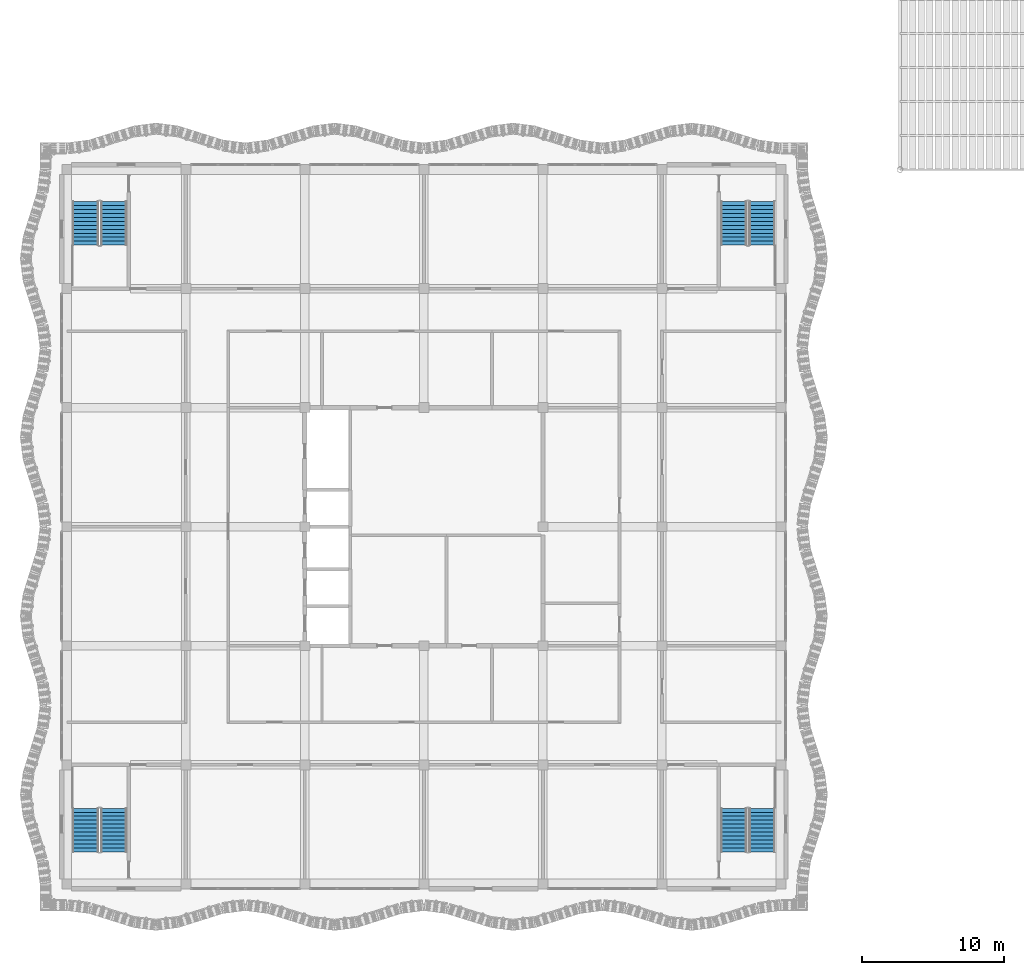
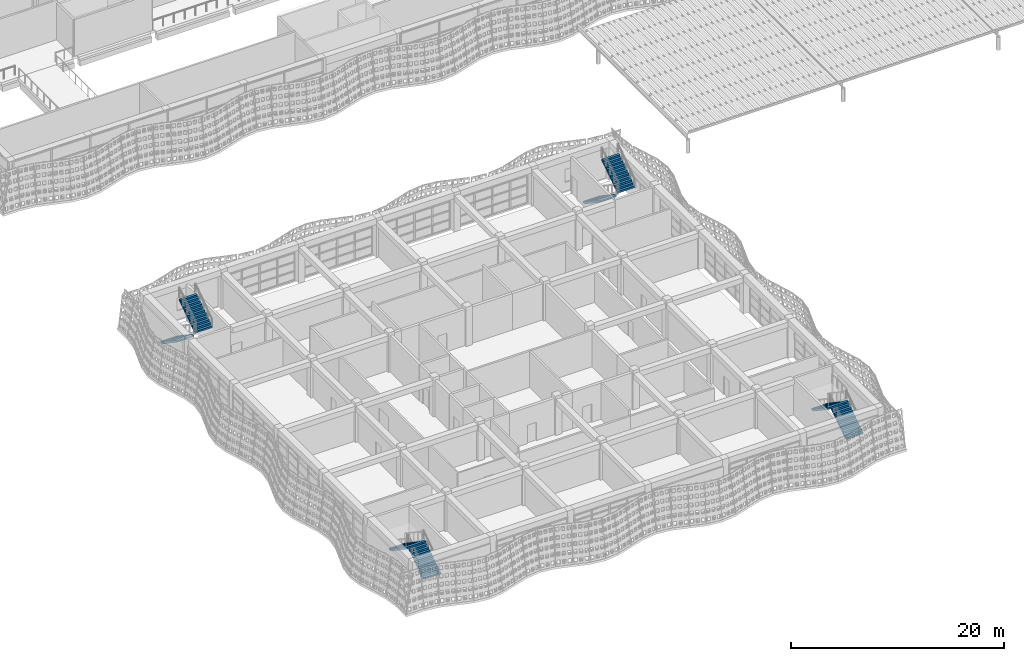
# One storey, part 98 of 162: 8 stair flights, 4 elements without a shape of their own.
"""IFC4 building model written with IfcOpenShell, lengths in metres."""

from ifc_helpers import new_model, si_unit, direction, frame, origin, place, context, subcontext, project, spatial, polyline, outline, extrude, material, type_object, element, aggregate, save


model = new_model("IFC4")

# Units and contexts
model_context = context("Model", 3, precision=1e-05, world=origin(), true_north=direction((0.0, 1.0)))
body_context = subcontext(model_context, "Body", "Model", "MODEL_VIEW")
ifc_project = project(units=[si_unit("LENGTHUNIT", "METRE"), si_unit("AREAUNIT", "SQUARE_METRE"), si_unit("VOLUMEUNIT", "CUBIC_METRE"), si_unit("PLANEANGLEUNIT", "RADIAN"), si_unit("MASSUNIT", "GRAM", prefix="KILO")], contexts=[model_context])

# Site, building, storey
site_placement = place(None, origin())
site = spatial("IfcSite", under=ifc_project, at=site_placement, CompositionType="ELEMENT")
building_placement = place(site_placement, origin())
building = spatial("IfcBuilding", under=site, at=building_placement, Name="Rain Tree Exposition and Congress Centre", CompositionType="ELEMENT")
storey_placement = place(building_placement, frame((0.0, 0.0, 6.0)))
storey = spatial("IfcBuildingStorey", under=building, at=storey_placement, Name="L01", CompositionType="ELEMENT", Elevation=6.0)

# Stair, stair flights
ifc_material_1 = material(Name="Precast concrete C50/60", Category="concrete")
stair_type = type_object("IfcStairType", Name="Wing dog-leg stair 1850", PredefinedType="HALF_TURN_STAIR", material=ifc_material_1)
stair_1_placement = place(storey_placement, origin())
stair_1 = element("IfcStair", 1, at=stair_1_placement, inside=storey, type_object=stair_type, Name="L01 ST-W1", PredefinedType="HALF_TURN_STAIR")
ifc_material_2 = material(Name="Precast concrete C50/60", Category="concrete")
stair_flight_type = type_object("IfcStairFlightType", Name="Wing stair flight 1850", PredefinedType="STRAIGHT", material=ifc_material_2)
stair_flight_1_placement = place(storey_placement, frame((3.324951171875, 2.25, 0.0), z_axis=(0.0, 0.0, 1.0), x_axis=(0.0, 1.0, 0.0)))
stair_flight_1 = element("IfcStairFlight", 2, at=stair_flight_1_placement, type_object=stair_flight_type, Name="ST-W1 flight 1", NumberOfRisers=12, NumberOfTreads=11, PredefinedType="STRAIGHT", RiserHeight=0.1875, TreadLength=0.28, context=body_context, shape_type="SweptSolid", body=[
    extrude(outline(polyline([(0.0, 0.0), (0.0, 0.1875), (0.280029296875, 0.1875), (0.280029296875, 0.375), (0.56005859375, 0.375), (0.56005859375, 0.5625), (0.840087890625, 0.5625), (0.840087890625, 0.75), (1.1201171875, 0.75), (1.1201171875, 0.9375), (1.39990234375, 0.9375), (1.39990234375, 1.125), (1.679931640625, 1.125), (1.679931640625, 1.3125), (1.9599609375, 1.3125), (1.9599609375, 1.5), (2.239990234375, 1.5), (2.239990234375, 1.6875), (2.52001953125, 1.6875), (2.52001953125, 1.875), (2.800048828125, 1.875), (2.800048828125, 2.0625), (3.080078125, 2.0625), (3.080078125, 2.25), (3.080078125, 1.882080078125), (0.26953125, 0.0), (0.0, 0.0)])), frame((0.0, 0.925048828125, 0.0), z_axis=(0.0, -1.0, 0.0), x_axis=(1.0, 0.0, 0.0)), (0.0, 0.0, 1.0), 1.85009765625),
])
stair_flight_2_placement = place(storey_placement, frame((1.324951171875, 5.330078125, 2.25), z_axis=(0.0, 0.0, 1.0), x_axis=(0.0, -1.0, 0.0)))
stair_flight_2 = element("IfcStairFlight", 3, at=stair_flight_2_placement, type_object=stair_flight_type, Name="ST-W1 flight 2", NumberOfRisers=12, NumberOfTreads=11, PredefinedType="STRAIGHT", RiserHeight=0.1875, TreadLength=0.28, context=body_context, shape_type="SweptSolid", body=[
    extrude(outline(polyline([(0.0, 0.0), (0.0, 0.1875), (0.280029296875, 0.1875), (0.280029296875, 0.375), (0.56005859375, 0.375), (0.56005859375, 0.5625), (0.840087890625, 0.5625), (0.840087890625, 0.75), (1.1201171875, 0.75), (1.1201171875, 0.9375), (1.39990234375, 0.9375), (1.39990234375, 1.125), (1.679931640625, 1.125), (1.679931640625, 1.3125), (1.9599609375, 1.3125), (1.9599609375, 1.5), (2.239990234375, 1.5), (2.239990234375, 1.6875), (2.52001953125, 1.6875), (2.52001953125, 1.875), (2.800048828125, 1.875), (2.800048828125, 2.0625), (3.080078125, 2.0625), (3.080078125, 2.25), (3.080078125, 1.882080078125), (0.26953125, 0.0), (0.0, 0.0)])), frame((0.0, 0.925048828125, 0.0), z_axis=(0.0, -1.0, 0.0), x_axis=(1.0, 0.0, 0.0)), (0.0, 0.0, 1.0), 1.85009765625),
])
aggregate(stair_1, [stair_flight_1, stair_flight_2])

stair_2_placement = place(storey_placement, origin())
stair_2 = element("IfcStair", 4, at=stair_2_placement, inside=storey, type_object=stair_type, Name="L01 ST-W2", PredefinedType="HALF_TURN_STAIR")
stair_flight_3_placement = place(storey_placement, frame((49.074951171875, 2.25, 0.0), z_axis=(0.0, 0.0, 1.0), x_axis=(0.0, 1.0, 0.0)))
stair_flight_3 = element("IfcStairFlight", 5, at=stair_flight_3_placement, type_object=stair_flight_type, Name="ST-W2 flight 1", NumberOfRisers=12, NumberOfTreads=11, PredefinedType="STRAIGHT", RiserHeight=0.1875, TreadLength=0.28, context=body_context, shape_type="SweptSolid", body=[
    extrude(outline(polyline([(0.0, 0.0), (0.0, 0.1875), (0.280029296875, 0.1875), (0.280029296875, 0.375), (0.56005859375, 0.375), (0.56005859375, 0.5625), (0.840087890625, 0.5625), (0.840087890625, 0.75), (1.1201171875, 0.75), (1.1201171875, 0.9375), (1.39990234375, 0.9375), (1.39990234375, 1.125), (1.679931640625, 1.125), (1.679931640625, 1.3125), (1.9599609375, 1.3125), (1.9599609375, 1.5), (2.239990234375, 1.5), (2.239990234375, 1.6875), (2.52001953125, 1.6875), (2.52001953125, 1.875), (2.800048828125, 1.875), (2.800048828125, 2.0625), (3.080078125, 2.0625), (3.080078125, 2.25), (3.080078125, 1.882080078125), (0.26953125, 0.0), (0.0, 0.0)])), frame((0.0, 0.925048828125, 0.0), z_axis=(0.0, -1.0, 0.0), x_axis=(1.0, 0.0, 0.0)), (0.0, 0.0, 1.0), 1.85009765625),
])
stair_flight_4_placement = place(storey_placement, frame((47.074951171875, 5.330078125, 2.25), z_axis=(0.0, 0.0, 1.0), x_axis=(0.0, -1.0, 0.0)))
stair_flight_4 = element("IfcStairFlight", 6, at=stair_flight_4_placement, type_object=stair_flight_type, Name="ST-W2 flight 2", NumberOfRisers=12, NumberOfTreads=11, PredefinedType="STRAIGHT", RiserHeight=0.1875, TreadLength=0.28, context=body_context, shape_type="SweptSolid", body=[
    extrude(outline(polyline([(0.0, 0.0), (0.0, 0.1875), (0.280029296875, 0.1875), (0.280029296875, 0.375), (0.56005859375, 0.375), (0.56005859375, 0.5625), (0.840087890625, 0.5625), (0.840087890625, 0.75), (1.1201171875, 0.75), (1.1201171875, 0.9375), (1.39990234375, 0.9375), (1.39990234375, 1.125), (1.679931640625, 1.125), (1.679931640625, 1.3125), (1.9599609375, 1.3125), (1.9599609375, 1.5), (2.239990234375, 1.5), (2.239990234375, 1.6875), (2.52001953125, 1.6875), (2.52001953125, 1.875), (2.800048828125, 1.875), (2.800048828125, 2.0625), (3.080078125, 2.0625), (3.080078125, 2.25), (3.080078125, 1.882080078125), (0.26953125, 0.0), (0.0, 0.0)])), frame((0.0, 0.925048828125, 0.0), z_axis=(0.0, -1.0, 0.0), x_axis=(1.0, 0.0, 0.0)), (0.0, 0.0, 1.0), 1.85009765625),
])
aggregate(stair_2, [stair_flight_3, stair_flight_4])

stair_3_placement = place(storey_placement, origin())
stair_3 = element("IfcStair", 7, at=stair_3_placement, inside=storey, type_object=stair_type, Name="L01 ST-W3", PredefinedType="HALF_TURN_STAIR")
stair_flight_5_placement = place(storey_placement, frame((1.324951171875, 48.14990234375, 0.0), z_axis=(0.0, 0.0, 1.0), x_axis=(0.0, -1.0, 0.0)))
stair_flight_5 = element("IfcStairFlight", 8, at=stair_flight_5_placement, type_object=stair_flight_type, Name="ST-W3 flight 1", NumberOfRisers=12, NumberOfTreads=11, PredefinedType="STRAIGHT", RiserHeight=0.1875, TreadLength=0.28, context=body_context, shape_type="SweptSolid", body=[
    extrude(outline(polyline([(0.0, 0.0), (0.0, 0.1875), (0.280029296875, 0.1875), (0.280029296875, 0.375), (0.56005859375, 0.375), (0.56005859375, 0.5625), (0.840087890625, 0.5625), (0.840087890625, 0.75), (1.1201171875, 0.75), (1.1201171875, 0.9375), (1.39990234375, 0.9375), (1.39990234375, 1.125), (1.679931640625, 1.125), (1.679931640625, 1.3125), (1.9599609375, 1.3125), (1.9599609375, 1.5), (2.239990234375, 1.5), (2.239990234375, 1.6875), (2.52001953125, 1.6875), (2.52001953125, 1.875), (2.800048828125, 1.875), (2.800048828125, 2.0625), (3.080078125, 2.0625), (3.080078125, 2.25), (3.080078125, 1.882080078125), (0.26953125, 0.0), (0.0, 0.0)])), frame((0.0, 0.925048828125, 0.0), z_axis=(0.0, -1.0, 0.0), x_axis=(1.0, 0.0, 0.0)), (0.0, 0.0, 1.0), 1.85009765625),
])
stair_flight_6_placement = place(storey_placement, frame((3.324951171875, 45.070068359375, 2.25), z_axis=(0.0, 0.0, 1.0), x_axis=(0.0, 1.0, 0.0)))
stair_flight_6 = element("IfcStairFlight", 9, at=stair_flight_6_placement, type_object=stair_flight_type, Name="ST-W3 flight 2", NumberOfRisers=12, NumberOfTreads=11, PredefinedType="STRAIGHT", RiserHeight=0.1875, TreadLength=0.28, context=body_context, shape_type="SweptSolid", body=[
    extrude(outline(polyline([(0.0, 0.0), (0.0, 0.1875), (0.280029296875, 0.1875), (0.280029296875, 0.375), (0.56005859375, 0.375), (0.56005859375, 0.5625), (0.840087890625, 0.5625), (0.840087890625, 0.75), (1.1201171875, 0.75), (1.1201171875, 0.9375), (1.39990234375, 0.9375), (1.39990234375, 1.125), (1.679931640625, 1.125), (1.679931640625, 1.3125), (1.9599609375, 1.3125), (1.9599609375, 1.5), (2.239990234375, 1.5), (2.239990234375, 1.6875), (2.52001953125, 1.6875), (2.52001953125, 1.875), (2.800048828125, 1.875), (2.800048828125, 2.0625), (3.080078125, 2.0625), (3.080078125, 2.25), (3.080078125, 1.882080078125), (0.26953125, 0.0), (0.0, 0.0)])), frame((0.0, 0.925048828125, 0.0), z_axis=(0.0, -1.0, 0.0), x_axis=(1.0, 0.0, 0.0)), (0.0, 0.0, 1.0), 1.85009765625),
])
aggregate(stair_3, [stair_flight_5, stair_flight_6])

stair_4_placement = place(storey_placement, origin())
stair_4 = element("IfcStair", 10, at=stair_4_placement, inside=storey, type_object=stair_type, Name="L01 ST-W4", PredefinedType="HALF_TURN_STAIR")
stair_flight_7_placement = place(storey_placement, frame((47.074951171875, 48.14990234375, 0.0), z_axis=(0.0, 0.0, 1.0), x_axis=(0.0, -1.0, 0.0)))
stair_flight_7 = element("IfcStairFlight", 11, at=stair_flight_7_placement, type_object=stair_flight_type, Name="ST-W4 flight 1", NumberOfRisers=12, NumberOfTreads=11, PredefinedType="STRAIGHT", RiserHeight=0.1875, TreadLength=0.28, context=body_context, shape_type="SweptSolid", body=[
    extrude(outline(polyline([(0.0, 0.0), (0.0, 0.1875), (0.280029296875, 0.1875), (0.280029296875, 0.375), (0.56005859375, 0.375), (0.56005859375, 0.5625), (0.840087890625, 0.5625), (0.840087890625, 0.75), (1.1201171875, 0.75), (1.1201171875, 0.9375), (1.39990234375, 0.9375), (1.39990234375, 1.125), (1.679931640625, 1.125), (1.679931640625, 1.3125), (1.9599609375, 1.3125), (1.9599609375, 1.5), (2.239990234375, 1.5), (2.239990234375, 1.6875), (2.52001953125, 1.6875), (2.52001953125, 1.875), (2.800048828125, 1.875), (2.800048828125, 2.0625), (3.080078125, 2.0625), (3.080078125, 2.25), (3.080078125, 1.882080078125), (0.26953125, 0.0), (0.0, 0.0)])), frame((0.0, 0.925048828125, 0.0), z_axis=(0.0, -1.0, 0.0), x_axis=(1.0, 0.0, 0.0)), (0.0, 0.0, 1.0), 1.85009765625),
])
stair_flight_8_placement = place(storey_placement, frame((49.074951171875, 45.070068359375, 2.25), z_axis=(0.0, 0.0, 1.0), x_axis=(0.0, 1.0, 0.0)))
stair_flight_8 = element("IfcStairFlight", 12, at=stair_flight_8_placement, type_object=stair_flight_type, Name="ST-W4 flight 2", NumberOfRisers=12, NumberOfTreads=11, PredefinedType="STRAIGHT", RiserHeight=0.1875, TreadLength=0.28, context=body_context, shape_type="SweptSolid", body=[
    extrude(outline(polyline([(0.0, 0.0), (0.0, 0.1875), (0.280029296875, 0.1875), (0.280029296875, 0.375), (0.56005859375, 0.375), (0.56005859375, 0.5625), (0.840087890625, 0.5625), (0.840087890625, 0.75), (1.1201171875, 0.75), (1.1201171875, 0.9375), (1.39990234375, 0.9375), (1.39990234375, 1.125), (1.679931640625, 1.125), (1.679931640625, 1.3125), (1.9599609375, 1.3125), (1.9599609375, 1.5), (2.239990234375, 1.5), (2.239990234375, 1.6875), (2.52001953125, 1.6875), (2.52001953125, 1.875), (2.800048828125, 1.875), (2.800048828125, 2.0625), (3.080078125, 2.0625), (3.080078125, 2.25), (3.080078125, 1.882080078125), (0.26953125, 0.0), (0.0, 0.0)])), frame((0.0, 0.925048828125, 0.0), z_axis=(0.0, -1.0, 0.0), x_axis=(1.0, 0.0, 0.0)), (0.0, 0.0, 1.0), 1.85009765625),
])
aggregate(stair_4, [stair_flight_7, stair_flight_8])

save(model, "model.ifc")
